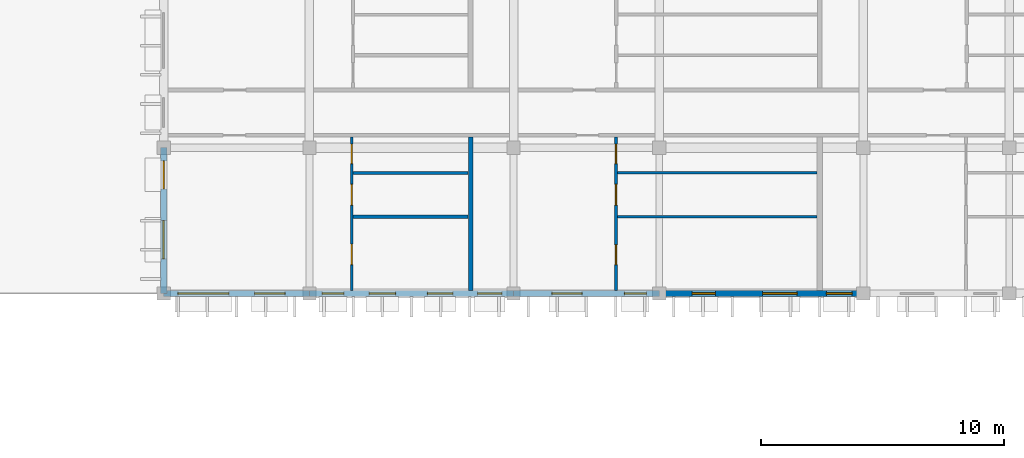
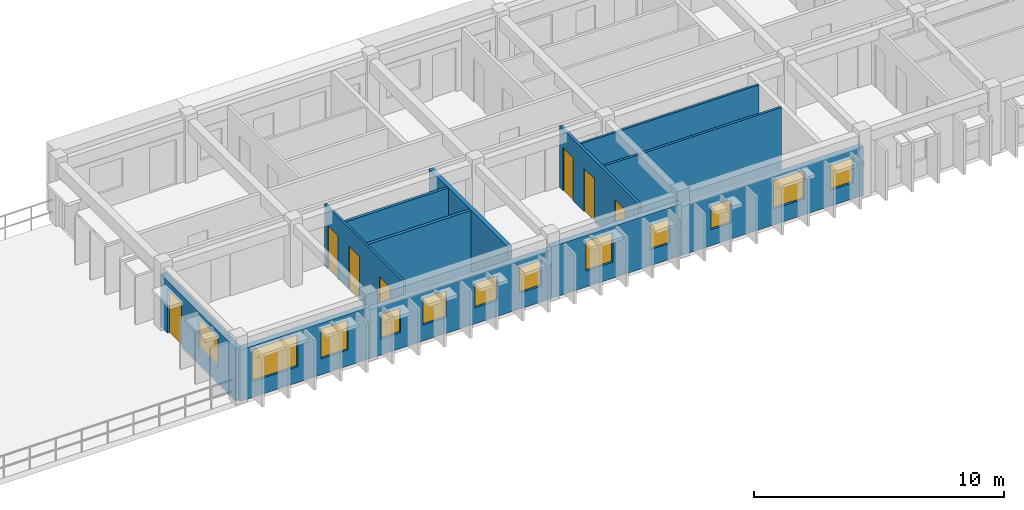
# One storey, part 21 of 45: 12 walls, 12 windows, 7 doors, 19 openings.
"""IFC4 building model written with IfcOpenShell, lengths in metres."""

import ifcopenshell
import ifcopenshell.guid

model = None  # the IFC model being written
_history = None  # IfcOwnerHistory: only IFC2X3 demands one
_inside = {}  # id of a spatial element -> (the spatial element, [elements in it])
_under = {}  # id of a project, library or spatial element -> (it, [spatial elements below it])
_declared = {}  # id of a project -> (the project, [libraries it declares])
_typed = {}  # id of a type object -> (the type object, [elements of that type])
_made_of = {}  # id of a material, layer set ... -> (it, [elements and type objects made of it])


def new_model(schema):
    """Start an empty IFC model of exactly this schema.

    Asked for "IFC4X3", IfcOpenShell would pick the latest addendum, in which some entities
    have other attributes; the version numbers below select the first issue.
    IFC2X3 requires an IfcOwnerHistory on every rooted entity: one is made here for all.
    """
    global model, _history
    if schema == "IFC4X3":
        model = ifcopenshell.file(schema_version=(4, 3, 0, 0))
    else:
        model = ifcopenshell.file(schema=schema)
    _inside.clear()
    _under.clear()
    _declared.clear()
    _typed.clear()
    _made_of.clear()
    _history = None
    if model.schema == "IFC2X3":
        org = make("IfcOrganization", Name="unknown")
        user = make(
            "IfcPersonAndOrganization",
            ThePerson=make("IfcPerson", FamilyName="unknown"),
            TheOrganization=org,
        )
        app = make(
            "IfcApplication",
            ApplicationDeveloper=org,
            Version="unknown",
            ApplicationFullName="unknown",
            ApplicationIdentifier="unknown",
        )
        _history = make(
            "IfcOwnerHistory",
            OwningUser=user,
            OwningApplication=app,
            ChangeAction="ADDED",
            CreationDate=0,
        )
    return model


def make(cls, **values):
    """One entity of the class cls with the attributes given. An attribute that is None is left unset."""
    return model.create_entity(
        cls, **{name: value for name, value in values.items() if value is not None}
    )


def rooted(cls, **values):
    """An entity with a GlobalId (a new one), such as an element, a storey or a relation."""
    return make(cls, GlobalId=ifcopenshell.guid.new(), OwnerHistory=_history, **values)


def si_unit(unit_type, name, prefix=None):
    """IfcSIUnit, for example si_unit("LENGTHUNIT", "METRE", prefix="MILLI")."""
    return make("IfcSIUnit", UnitType=unit_type, Prefix=prefix, Name=name)


def assignment(units):
    """IfcUnitAssignment: the units of a project."""
    return None if units is None else make("IfcUnitAssignment", Units=units)


def point(xyz):
    """IfcCartesianPoint."""
    return None if xyz is None else make("IfcCartesianPoint", Coordinates=xyz)


def direction(xyz):
    """IfcDirection."""
    return None if xyz is None else make("IfcDirection", DirectionRatios=xyz)


def frame(location, z_axis=None, x_axis=None):
    """IfcAxis2Placement3D, a coordinate frame: its origin and axes. An axis left out is left unset."""
    return make(
        "IfcAxis2Placement3D",
        Location=point(location),
        Axis=direction(z_axis),
        RefDirection=direction(x_axis),
    )


def frame_2d(location, x_axis=None):
    """IfcAxis2Placement2D, a coordinate frame in the plane: its origin and x axis."""
    return make(
        "IfcAxis2Placement2D", Location=point(location), RefDirection=direction(x_axis)
    )


def origin():
    """The frame at (0, 0, 0) with its axes left unset."""
    return frame((0.0, 0.0, 0.0))


def place(relative_to, where):
    """IfcLocalPlacement: puts the frame where relative to a parent placement (None: the world)."""
    return make(
        "IfcLocalPlacement", PlacementRelTo=relative_to, RelativePlacement=where
    )


def context(
    kind, dimensions, precision=None, world=None, true_north=None, identifier=None
):
    """IfcGeometricRepresentationContext, for example the 3D "Model" context."""
    return make(
        "IfcGeometricRepresentationContext",
        ContextIdentifier=identifier,
        ContextType=kind,
        CoordinateSpaceDimension=dimensions,
        Precision=precision,
        WorldCoordinateSystem=world,
        TrueNorth=true_north,
    )


def subcontext(parent, identifier, kind, view, scale=None):
    """IfcGeometricRepresentationSubContext, for example "Body" below "Model"."""
    return make(
        "IfcGeometricRepresentationSubContext",
        ContextIdentifier=identifier,
        ContextType=kind,
        ParentContext=parent,
        TargetScale=scale,
        TargetView=view,
    )


def project(units=None, contexts=None):
    """IfcProject with its units and contexts."""
    return rooted(
        "IfcProject",
        Name="project",
        RepresentationContexts=contexts,
        UnitsInContext=assignment(units),
    )


def spatial(cls, under=None, at=None, **own):
    """A site, building, storey or space (cls), placed at a placement, below another one or the project."""
    s = rooted(cls, ObjectPlacement=at, **own)
    if under is not None:
        _under.setdefault(under.id(), (under, []))[1].append(s)
    return s


def profile(cls, at=None, kind="AREA", **sizes):
    """A parametric profile (cls). Its sizes go by their IFC names, for example OverallWidth=200.0."""
    return make(cls, ProfileType=kind, Position=at, **sizes)


def rectangle(**sizes):
    """IfcRectangleProfileDef."""
    return profile("IfcRectangleProfileDef", **sizes)


def extrude(swept, where, along, depth):
    """IfcExtrudedAreaSolid: the profile swept, set in the frame where, extruded along a direction by depth."""
    return make(
        "IfcExtrudedAreaSolid",
        SweptArea=swept,
        Position=where,
        ExtrudedDirection=direction(along),
        Depth=depth,
    )


def shape(context_of_items, identifier, shape_type, items):
    """IfcShapeRepresentation: the items that make up one representation, for example the "Body"."""
    return make(
        "IfcShapeRepresentation",
        ContextOfItems=context_of_items,
        RepresentationIdentifier=identifier,
        RepresentationType=shape_type,
        Items=items,
    )


def material(Name=None, Category=None):
    """IfcMaterial."""
    return make("IfcMaterial", Name=Name, Category=Category)


def layer(
    of_material, thickness, ventilated=None, Name=None, Category=None, Priority=None
):
    """IfcMaterialLayer: one layer of a wall or slab, of a material (None: an air gap)."""
    return make(
        "IfcMaterialLayer",
        Material=of_material,
        LayerThickness=thickness,
        IsVentilated=ventilated,
        Name=Name,
        Category=Category,
        Priority=Priority,
    )


def layer_set(layers, Name=None):
    """IfcMaterialLayerSet."""
    return make("IfcMaterialLayerSet", MaterialLayers=layers, LayerSetName=Name)


def made_of(thing, what):
    """Note that an element or type object is made of a material, layer set ...; save() writes the relation."""
    if what is not None:
        _made_of.setdefault(what.id(), (what, []))[1].append(thing)
    return thing


def type_object(cls, material=None, **own):
    """A type object (cls), such as IfcWallType, which elements share."""
    return made_of(rooted(cls, **own), material)


def element(
    cls,
    number,
    at=None,
    inside=None,
    cuts=None,
    type_object=None,
    material=None,
    context=None,
    identifier="Body",
    shape_type=None,
    held_by="IfcProductDefinitionShape",
    body=None,
    shapes=None,
    **own,
):
    """One element of the class cls, such as IfcWall. Its Tag is "e" and its number.

    at: its placement. inside: the storey or other place that contains it. cuts: it is an
    opening in that element (IfcRelVoidsElement). A single representation is given by context,
    identifier, shape_type and body (its items); several are given by shapes. held_by: the class
    of the entity that holds the representations. save() writes the other relations.
    """
    e = rooted(cls, Tag="e%d" % number, ObjectPlacement=at, **own)
    if body is not None:
        shapes = [shape(context, identifier, shape_type, body)]
    if shapes is not None:
        e.Representation = make(held_by, Representations=shapes)
    if inside is not None:
        _inside.setdefault(inside.id(), (inside, []))[1].append(e)
    if cuts is not None:
        rooted(
            "IfcRelVoidsElement", RelatingBuildingElement=cuts, RelatedOpeningElement=e
        )
    if type_object is not None:
        _typed.setdefault(type_object.id(), (type_object, []))[1].append(e)
    return made_of(e, material)


def fill(opening, filler):
    """IfcRelFillsElement: the door or window that sits in an opening."""
    return rooted(
        "IfcRelFillsElement",
        RelatingOpeningElement=opening,
        RelatedBuildingElement=filler,
    )


def aggregate(whole, parts):
    """IfcRelAggregates: a whole, such as a stair, and the parts it consists of."""
    return rooted("IfcRelAggregates", RelatingObject=whole, RelatedObjects=parts)


def save(model, path):
    """Write the relations noted so far, then the file.

    IfcRelAggregates (storeys below a building ...), IfcRelContainedInSpatialStructure (elements
    in a storey), IfcRelDefinesByType, IfcRelAssociatesMaterial and IfcRelDeclares: one each for
    every whole, place, type object, material and project.
    """
    for whole, parts in _under.values():
        aggregate(whole, parts)
    for where, things in _inside.values():
        rooted(
            "IfcRelContainedInSpatialStructure",
            RelatedElements=things,
            RelatingStructure=where,
        )
    for kind, things in _typed.values():
        rooted("IfcRelDefinesByType", RelatedObjects=things, RelatingType=kind)
    for what, things in _made_of.values():
        rooted("IfcRelAssociatesMaterial", RelatedObjects=things, RelatingMaterial=what)
    for by, libraries in _declared.values():
        rooted("IfcRelDeclares", RelatingContext=by, RelatedDefinitions=libraries)
    model.write(path)


model = new_model("IFC4")

# Units and contexts
model_context = context("Model", 3, precision=1e-05, world=origin(), true_north=direction((0.0, 1.0)))
body_context = subcontext(model_context, "Body", "Model", "MODEL_VIEW")
ifc_project = project(units=[si_unit("LENGTHUNIT", "METRE"), si_unit("AREAUNIT", "SQUARE_METRE"), si_unit("VOLUMEUNIT", "CUBIC_METRE"), si_unit("PLANEANGLEUNIT", "RADIAN"), si_unit("MASSUNIT", "GRAM", prefix="KILO"), si_unit("THERMODYNAMICTEMPERATUREUNIT", "KELVIN")], contexts=[model_context])

# Site, building, storey
site_placement = place(None, origin())
site = spatial("IfcSite", under=ifc_project, at=site_placement, CompositionType="ELEMENT")
building_placement = place(site_placement, origin())
building = spatial("IfcBuilding", under=site, at=building_placement, Name="Thalorik Housing Commons", CompositionType="ELEMENT")
storey_placement = place(building_placement, frame((0.0, 0.0, 34.5)))
storey = spatial("IfcBuildingStorey", under=building, at=storey_placement, Name="L10", CompositionType="ELEMENT", Elevation=34.5)

# Wall, openings, door, window
ifc_material_1 = material(Name="White precast concrete C40/50", Category="concrete")
ifc_layer_1 = layer(ifc_material_1, 0.2548828125, Name="White precast concrete C40/50", Category="concrete")
ifc_layer_set_1 = layer_set([ifc_layer_1], Name="White precast concrete C40/50")
wall_type_1 = type_object("IfcWallType", Name="ARC-WAL-EXT-255", PredefinedType="STANDARD", material=ifc_layer_set_1)
wall_1_placement = place(storey_placement, frame((109.199951171875, 115.199951171875, 0.0), z_axis=(0.0, 0.0, 1.0), x_axis=(0.0, -1.0, 0.0)))
wall_1 = element("IfcWall", 1, at=wall_1_placement, inside=storey, type_object=wall_type_1, Name="L10 Exterior Wall WAL-EXT-L10-B-0754", PredefinedType="STANDARD", context=body_context, shape_type="SweptSolid", body=[
    extrude(rectangle(XDim=6.0, YDim=0.2548828125, at=frame_2d((3.0, 0.0))), origin(), (0.0, 0.0, 1.0), 2.574951171875),
])
opening_1_placement = place(wall_1_placement, frame((0.5400390625, 0.0, 0.0)))
opening_1 = element("IfcOpeningElement", 2, at=opening_1_placement, cuts=wall_1, Name="Opening ED-0257", PredefinedType="OPENING", context=body_context, shape_type="SweptSolid", body=[
    extrude(rectangle(XDim=1.14990234375, YDim=2.14990234375, at=frame_2d((0.574951171875, 1.074951171875))), frame((0.0, 0.137451171875, 0.0), z_axis=(0.0, -1.0, 0.0), x_axis=(1.0, 0.0, 0.0)), (0.0, 0.0, 1.0), 0.27490234375),
])
opening_2_placement = place(wall_1_placement, frame((2.9951171875, 0.0, 0.780029296875)))
opening_2 = element("IfcOpeningElement", 3, at=opening_2_placement, cuts=wall_1, Name="Opening W-53", PredefinedType="OPENING", context=body_context, shape_type="SweptSolid", body=[
    extrude(rectangle(XDim=1.580078125, YDim=1.47998046875, at=frame_2d((0.7900390625, 0.739990234375))), frame((0.0, 0.137451171875, 0.0), z_axis=(0.0, -1.0, 0.0), x_axis=(1.0, 0.0, 0.0)), (0.0, 0.0, 1.0), 0.27490234375),
])
ifc_material_2 = material(Name="Anodised aluminium and laminated safety glass", Category="aluminium")
door_type_1 = type_object("IfcDoorType", Name="ARC-DR-TERR-1150", OperationType="NOTDEFINED", PredefinedType="DOOR", material=ifc_material_2)
door_1_placement = place(opening_1_placement, frame((1.14990234375, 0.0, 0.0), z_axis=(0.0, 0.0, 1.0), x_axis=(-1.0, 0.0, 0.0)))
door_1 = element("IfcDoor", 4, at=door_1_placement, inside=storey, type_object=door_type_1, Name="L10 Block B L10 West Sky-Garden Terrace Access Door", OperationType="SINGLE_SWING_RIGHT", OverallHeight=2.14990234375, OverallWidth=1.14990234375, PredefinedType="DOOR", context=body_context, shape_type="SweptSolid", body=[
    extrude(rectangle(XDim=1.14990234375, YDim=2.14990234375, at=frame_2d((0.574951171875, 1.074951171875))), frame((0.0, 0.02490234375, 0.0), z_axis=(0.0, -1.0, 0.0), x_axis=(1.0, 0.0, 0.0)), (0.0, 0.0, 1.0), 0.050048828125),
])
fill(opening_1, door_1)
ifc_material_3 = material(Name="Anodised aluminium and solar-control low-E glass", Category="aluminium")
window_type_1 = type_object("IfcWindowType", Name="ARC-WIN-53", PartitioningType="SINGLE_PANEL", PredefinedType="WINDOW", material=ifc_material_3)
window_1_placement = place(opening_2_placement, origin())
window_1 = element("IfcWindow", 5, at=window_1_placement, inside=storey, type_object=window_type_1, Name="L10 Facade Window 1384", OverallHeight=1.47998046875, OverallWidth=1.580078125, PartitioningType="SINGLE_PANEL", PredefinedType="WINDOW", context=body_context, shape_type="SweptSolid", body=[
    extrude(rectangle(XDim=1.580078125, YDim=1.47998046875, at=frame_2d((0.7900390625, 0.739990234375))), frame((0.0, 0.030029296875, 0.0), z_axis=(0.0, -1.0, 0.0), x_axis=(1.0, 0.0, 0.0)), (0.0, 0.0, 1.0), 0.06005859375),
])
fill(opening_2, window_1)

# Wall, openings, windows
wall_2_placement = place(storey_placement, frame((109.199951171875, 109.199951171875, 0.0), z_axis=(0.0, 0.0, 1.0), x_axis=(1.0, 0.0, 0.0)))
wall_2 = element("IfcWall", 6, at=wall_2_placement, inside=storey, type_object=wall_type_1, Name="L10 Exterior Wall WAL-EXT-L10-B-0755", PredefinedType="STANDARD", context=body_context, shape_type="SweptSolid", body=[
    extrude(rectangle(XDim=6.0, YDim=0.2548828125, at=frame_2d((3.0, 0.0))), origin(), (0.0, 0.0, 1.0), 2.52490234375),
])
opening_3_placement = place(wall_2_placement, frame((0.580078125, 0.0, 0.780029296875)))
opening_3 = element("IfcOpeningElement", 7, at=opening_3_placement, cuts=wall_2, Name="Opening W-26", PredefinedType="OPENING", context=body_context, shape_type="SweptSolid", body=[
    extrude(rectangle(XDim=2.10009765625, YDim=1.550048828125, at=frame_2d((1.050048828125, 0.77490234375))), frame((0.0, 0.137451171875, 0.0), z_axis=(0.0, -1.0, 0.0), x_axis=(1.0, 0.0, 0.0)), (0.0, 0.0, 1.0), 0.27490234375),
])
opening_4_placement = place(wall_2_placement, frame((3.7451171875, 0.0, 0.780029296875)))
opening_4 = element("IfcOpeningElement", 8, at=opening_4_placement, cuts=wall_2, Name="Opening W-47", PredefinedType="OPENING", context=body_context, shape_type="SweptSolid", body=[
    extrude(rectangle(XDim=1.25, YDim=1.449951171875, at=frame_2d((0.625, 0.72509765625))), frame((0.0, 0.137451171875, 0.0), z_axis=(0.0, -1.0, 0.0), x_axis=(1.0, 0.0, 0.0)), (0.0, 0.0, 1.0), 0.27490234375),
])
window_type_2 = type_object("IfcWindowType", Name="ARC-WIN-26", PartitioningType="DOUBLE_PANEL_VERTICAL", PredefinedType="WINDOW", material=ifc_material_3)
window_2_placement = place(opening_3_placement, origin())
window_2 = element("IfcWindow", 9, at=window_2_placement, inside=storey, type_object=window_type_2, Name="L10 Facade Window 1385", OverallHeight=1.550048828125, OverallWidth=2.10009765625, PartitioningType="DOUBLE_PANEL_VERTICAL", PredefinedType="WINDOW", context=body_context, shape_type="SweptSolid", body=[
    extrude(rectangle(XDim=2.10009765625, YDim=1.550048828125, at=frame_2d((1.050048828125, 0.77490234375))), frame((0.0, 0.030029296875, 0.0), z_axis=(0.0, -1.0, 0.0), x_axis=(1.0, 0.0, 0.0)), (0.0, 0.0, 1.0), 0.06005859375),
])
fill(opening_3, window_2)
window_type_3 = type_object("IfcWindowType", Name="ARC-WIN-47", PartitioningType="SINGLE_PANEL", PredefinedType="WINDOW", material=ifc_material_3)
window_3_placement = place(opening_4_placement, origin())
window_3 = element("IfcWindow", 10, at=window_3_placement, inside=storey, type_object=window_type_3, Name="L10 Facade Window 1386", OverallHeight=1.449951171875, OverallWidth=1.25, PartitioningType="SINGLE_PANEL", PredefinedType="WINDOW", context=body_context, shape_type="SweptSolid", body=[
    extrude(rectangle(XDim=1.25, YDim=1.449951171875, at=frame_2d((0.625, 0.72509765625))), frame((0.0, 0.030029296875, 0.0), z_axis=(0.0, -1.0, 0.0), x_axis=(1.0, 0.0, 0.0)), (0.0, 0.0, 1.0), 0.06005859375),
])
fill(opening_4, window_3)

wall_3_placement = place(storey_placement, frame((115.199951171875, 109.199951171875, 0.0), z_axis=(0.0, 0.0, 1.0), x_axis=(1.0, 0.0, 0.0)))
wall_3 = element("IfcWall", 11, at=wall_3_placement, inside=storey, type_object=wall_type_1, Name="L10 Exterior Wall WAL-EXT-L10-B-0756", PredefinedType="STANDARD", context=body_context, shape_type="SweptSolid", body=[
    extrude(rectangle(XDim=8.400146484375, YDim=0.2548828125, at=frame_2d((4.2001953125, 0.0))), origin(), (0.0, 0.0, 1.0), 2.375),
])
opening_5_placement = place(wall_3_placement, frame((0.517578125, 0.0, 0.780029296875)))
opening_5 = element("IfcOpeningElement", 12, at=opening_5_placement, cuts=wall_3, Name="Opening W-01", PredefinedType="OPENING", context=body_context, shape_type="SweptSolid", body=[
    extrude(rectangle(XDim=0.89990234375, YDim=1.199951171875, at=frame_2d((0.449951171875, 0.60009765625))), frame((0.0, 0.137451171875, 0.0), z_axis=(0.0, -1.0, 0.0), x_axis=(1.0, 0.0, 0.0)), (0.0, 0.0, 1.0), 0.27490234375),
])
opening_6_placement = place(wall_3_placement, frame((2.451171875, 0.0, 0.780029296875)))
opening_6 = element("IfcOpeningElement", 13, at=opening_6_placement, cuts=wall_3, Name="Opening W-03", PredefinedType="OPENING", context=body_context, shape_type="SweptSolid", body=[
    extrude(rectangle(XDim=1.10009765625, YDim=1.300048828125, at=frame_2d((0.550048828125, 0.64990234375))), frame((0.0, 0.137451171875, 0.0), z_axis=(0.0, -1.0, 0.0), x_axis=(1.0, 0.0, 0.0)), (0.0, 0.0, 1.0), 0.27490234375),
])
opening_7_placement = place(wall_3_placement, frame((4.8486328125, 0.0, 0.780029296875)))
opening_7 = element("IfcOpeningElement", 14, at=opening_7_placement, cuts=wall_3, Name="Opening W-44", PredefinedType="OPENING", context=body_context, shape_type="SweptSolid", body=[
    extrude(rectangle(XDim=1.050048828125, YDim=1.199951171875, at=frame_2d((0.52490234375, 0.60009765625))), frame((0.0, 0.137451171875, 0.0), z_axis=(0.0, -1.0, 0.0), x_axis=(1.0, 0.0, 0.0)), (0.0, 0.0, 1.0), 0.27490234375),
])
opening_8_placement = place(wall_3_placement, frame((6.919921875, 0.0, 0.780029296875)))
opening_8 = element("IfcOpeningElement", 15, at=opening_8_placement, cuts=wall_3, Name="Opening W-02", PredefinedType="OPENING", context=body_context, shape_type="SweptSolid", body=[
    extrude(rectangle(XDim=1.0, YDim=1.25, at=frame_2d((0.5, 0.625))), frame((0.0, 0.137451171875, 0.0), z_axis=(0.0, -1.0, 0.0), x_axis=(1.0, 0.0, 0.0)), (0.0, 0.0, 1.0), 0.27490234375),
])
window_type_4 = type_object("IfcWindowType", Name="ARC-WIN-01", PartitioningType="SINGLE_PANEL", PredefinedType="WINDOW", material=ifc_material_3)
window_4_placement = place(opening_5_placement, origin())
window_4 = element("IfcWindow", 16, at=window_4_placement, inside=storey, type_object=window_type_4, Name="L10 Facade Window 1387", OverallHeight=1.199951171875, OverallWidth=0.89990234375, PartitioningType="SINGLE_PANEL", PredefinedType="WINDOW", context=body_context, shape_type="SweptSolid", body=[
    extrude(rectangle(XDim=0.89990234375, YDim=1.199951171875, at=frame_2d((0.449951171875, 0.60009765625))), frame((0.0, 0.030029296875, 0.0), z_axis=(0.0, -1.0, 0.0), x_axis=(1.0, 0.0, 0.0)), (0.0, 0.0, 1.0), 0.06005859375),
])
fill(opening_5, window_4)
window_type_5 = type_object("IfcWindowType", Name="ARC-WIN-02", PartitioningType="SINGLE_PANEL", PredefinedType="WINDOW", material=ifc_material_3)
window_5_placement = place(opening_8_placement, origin())
window_5 = element("IfcWindow", 17, at=window_5_placement, inside=storey, type_object=window_type_5, Name="L10 Facade Window 1390", OverallHeight=1.25, OverallWidth=1.0, PartitioningType="SINGLE_PANEL", PredefinedType="WINDOW", context=body_context, shape_type="SweptSolid", body=[
    extrude(rectangle(XDim=1.0, YDim=1.25, at=frame_2d((0.5, 0.625))), frame((0.0, 0.030029296875, 0.0), z_axis=(0.0, -1.0, 0.0), x_axis=(1.0, 0.0, 0.0)), (0.0, 0.0, 1.0), 0.06005859375),
])
fill(opening_8, window_5)
window_type_6 = type_object("IfcWindowType", Name="ARC-WIN-03", PartitioningType="SINGLE_PANEL", PredefinedType="WINDOW", material=ifc_material_3)
window_6_placement = place(opening_6_placement, origin())
window_6 = element("IfcWindow", 18, at=window_6_placement, inside=storey, type_object=window_type_6, Name="L10 Facade Window 1388", OverallHeight=1.300048828125, OverallWidth=1.10009765625, PartitioningType="SINGLE_PANEL", PredefinedType="WINDOW", context=body_context, shape_type="SweptSolid", body=[
    extrude(rectangle(XDim=1.10009765625, YDim=1.300048828125, at=frame_2d((0.550048828125, 0.64990234375))), frame((0.0, 0.030029296875, 0.0), z_axis=(0.0, -1.0, 0.0), x_axis=(1.0, 0.0, 0.0)), (0.0, 0.0, 1.0), 0.06005859375),
])
fill(opening_6, window_6)
window_type_7 = type_object("IfcWindowType", Name="ARC-WIN-44", PartitioningType="SINGLE_PANEL", PredefinedType="WINDOW", material=ifc_material_3)
window_7_placement = place(opening_7_placement, origin())
window_7 = element("IfcWindow", 19, at=window_7_placement, inside=storey, type_object=window_type_7, Name="L10 Facade Window 1389", OverallHeight=1.199951171875, OverallWidth=1.050048828125, PartitioningType="SINGLE_PANEL", PredefinedType="WINDOW", context=body_context, shape_type="SweptSolid", body=[
    extrude(rectangle(XDim=1.050048828125, YDim=1.199951171875, at=frame_2d((0.52490234375, 0.60009765625))), frame((0.0, 0.030029296875, 0.0), z_axis=(0.0, -1.0, 0.0), x_axis=(1.0, 0.0, 0.0)), (0.0, 0.0, 1.0), 0.06005859375),
])
fill(opening_7, window_7)

wall_4_placement = place(storey_placement, frame((123.60009765625, 109.199951171875, 0.0), z_axis=(0.0, 0.0, 1.0), x_axis=(1.0, 0.0, 0.0)))
wall_4 = element("IfcWall", 20, at=wall_4_placement, inside=storey, type_object=wall_type_1, Name="L10 Exterior Wall WAL-EXT-L10-B-0757", PredefinedType="STANDARD", context=body_context, shape_type="SweptSolid", body=[
    extrude(rectangle(XDim=6.0, YDim=0.2548828125, at=frame_2d((3.0, 0.0))), origin(), (0.0, 0.0, 1.0), 2.52490234375),
])
opening_9_placement = place(wall_4_placement, frame((1.577392578125, 0.0, 0.780029296875)))
opening_9 = element("IfcOpeningElement", 21, at=opening_9_placement, cuts=wall_4, Name="Opening W-47", PredefinedType="OPENING", context=body_context, shape_type="SweptSolid", body=[
    extrude(rectangle(XDim=1.25, YDim=1.449951171875, at=frame_2d((0.625, 0.72509765625))), frame((0.0, 0.137451171875, 0.0), z_axis=(0.0, -1.0, 0.0), x_axis=(1.0, 0.0, 0.0)), (0.0, 0.0, 1.0), 0.27490234375),
])
opening_10_placement = place(wall_4_placement, frame((4.5625, 0.0, 0.780029296875)))
opening_10 = element("IfcOpeningElement", 22, at=opening_10_placement, cuts=wall_4, Name="Opening W-01", PredefinedType="OPENING", context=body_context, shape_type="SweptSolid", body=[
    extrude(rectangle(XDim=0.89990234375, YDim=1.199951171875, at=frame_2d((0.449951171875, 0.60009765625))), frame((0.0, 0.137451171875, 0.0), z_axis=(0.0, -1.0, 0.0), x_axis=(1.0, 0.0, 0.0)), (0.0, 0.0, 1.0), 0.27490234375),
])
window_8_placement = place(opening_10_placement, origin())
window_8 = element("IfcWindow", 23, at=window_8_placement, inside=storey, type_object=window_type_4, Name="L10 Facade Window 1392", OverallHeight=1.199951171875, OverallWidth=0.89990234375, PartitioningType="SINGLE_PANEL", PredefinedType="WINDOW", context=body_context, shape_type="SweptSolid", body=[
    extrude(rectangle(XDim=0.89990234375, YDim=1.199951171875, at=frame_2d((0.449951171875, 0.60009765625))), frame((0.0, 0.030029296875, 0.0), z_axis=(0.0, -1.0, 0.0), x_axis=(1.0, 0.0, 0.0)), (0.0, 0.0, 1.0), 0.06005859375),
])
fill(opening_10, window_8)
window_9_placement = place(opening_9_placement, origin())
window_9 = element("IfcWindow", 24, at=window_9_placement, inside=storey, type_object=window_type_3, Name="L10 Facade Window 1391", OverallHeight=1.449951171875, OverallWidth=1.25, PartitioningType="SINGLE_PANEL", PredefinedType="WINDOW", context=body_context, shape_type="SweptSolid", body=[
    extrude(rectangle(XDim=1.25, YDim=1.449951171875, at=frame_2d((0.625, 0.72509765625))), frame((0.0, 0.030029296875, 0.0), z_axis=(0.0, -1.0, 0.0), x_axis=(1.0, 0.0, 0.0)), (0.0, 0.0, 1.0), 0.06005859375),
])
fill(opening_9, window_9)

wall_5_placement = place(storey_placement, frame((129.60009765625, 109.199951171875, 0.0), z_axis=(0.0, 0.0, 1.0), x_axis=(1.0, 0.0, 0.0)))
wall_5 = element("IfcWall", 25, at=wall_5_placement, inside=storey, type_object=wall_type_1, Name="L10 Exterior Wall WAL-EXT-L10-B-0758", PredefinedType="STANDARD", context=body_context, shape_type="SweptSolid", body=[
    extrude(rectangle(XDim=8.39990234375, YDim=0.2548828125, at=frame_2d((4.199951171875, 0.0))), origin(), (0.0, 0.0, 1.0), 2.375),
])
opening_11_placement = place(wall_5_placement, frame((1.3525390625, 0.0, 0.780029296875)))
opening_11 = element("IfcOpeningElement", 26, at=opening_11_placement, cuts=wall_5, Name="Opening W-43", PredefinedType="OPENING", context=body_context, shape_type="SweptSolid", body=[
    extrude(rectangle(XDim=0.949951171875, YDim=1.14990234375, at=frame_2d((0.47509765625, 0.574951171875))), frame((0.0, 0.137451171875, 0.0), z_axis=(0.0, -1.0, 0.0), x_axis=(1.0, 0.0, 0.0)), (0.0, 0.0, 1.0), 0.27490234375),
])
opening_12_placement = place(wall_5_placement, frame((4.25244140625, 0.0, 0.780029296875)))
opening_12 = element("IfcOpeningElement", 27, at=opening_12_placement, cuts=wall_5, Name="Opening W-50", PredefinedType="OPENING", context=body_context, shape_type="SweptSolid", body=[
    extrude(rectangle(XDim=1.419921875, YDim=1.3798828125, at=frame_2d((0.7099609375, 0.68994140625))), frame((0.0, 0.137451171875, 0.0), z_axis=(0.0, -1.0, 0.0), x_axis=(1.0, 0.0, 0.0)), (0.0, 0.0, 1.0), 0.27490234375),
])
opening_13_placement = place(wall_5_placement, frame((6.8798828125, 0.0, 0.780029296875)))
opening_13 = element("IfcOpeningElement", 28, at=opening_13_placement, cuts=wall_5, Name="Opening W-44", PredefinedType="OPENING", context=body_context, shape_type="SweptSolid", body=[
    extrude(rectangle(XDim=1.050048828125, YDim=1.199951171875, at=frame_2d((0.52490234375, 0.60009765625))), frame((0.0, 0.137451171875, 0.0), z_axis=(0.0, -1.0, 0.0), x_axis=(1.0, 0.0, 0.0)), (0.0, 0.0, 1.0), 0.27490234375),
])
window_type_8 = type_object("IfcWindowType", Name="ARC-WIN-43", PartitioningType="SINGLE_PANEL", PredefinedType="WINDOW", material=ifc_material_3)
window_10_placement = place(opening_11_placement, origin())
window_10 = element("IfcWindow", 29, at=window_10_placement, inside=storey, type_object=window_type_8, Name="L10 Facade Window 1393", OverallHeight=1.14990234375, OverallWidth=0.949951171875, PartitioningType="SINGLE_PANEL", PredefinedType="WINDOW", context=body_context, shape_type="SweptSolid", body=[
    extrude(rectangle(XDim=0.949951171875, YDim=1.14990234375, at=frame_2d((0.47509765625, 0.574951171875))), frame((0.0, 0.030029296875, 0.0), z_axis=(0.0, -1.0, 0.0), x_axis=(1.0, 0.0, 0.0)), (0.0, 0.0, 1.0), 0.06005859375),
])
fill(opening_11, window_10)
window_11_placement = place(opening_13_placement, origin())
window_11 = element("IfcWindow", 30, at=window_11_placement, inside=storey, type_object=window_type_7, Name="L10 Facade Window 1395", OverallHeight=1.199951171875, OverallWidth=1.050048828125, PartitioningType="SINGLE_PANEL", PredefinedType="WINDOW", context=body_context, shape_type="SweptSolid", body=[
    extrude(rectangle(XDim=1.050048828125, YDim=1.199951171875, at=frame_2d((0.52490234375, 0.60009765625))), frame((0.0, 0.030029296875, 0.0), z_axis=(0.0, -1.0, 0.0), x_axis=(1.0, 0.0, 0.0)), (0.0, 0.0, 1.0), 0.06005859375),
])
fill(opening_13, window_11)
window_type_9 = type_object("IfcWindowType", Name="ARC-WIN-50", PartitioningType="SINGLE_PANEL", PredefinedType="WINDOW", material=ifc_material_3)
window_12_placement = place(opening_12_placement, origin())
window_12 = element("IfcWindow", 31, at=window_12_placement, inside=storey, type_object=window_type_9, Name="L10 Facade Window 1394", OverallHeight=1.3798828125, OverallWidth=1.419921875, PartitioningType="SINGLE_PANEL", PredefinedType="WINDOW", context=body_context, shape_type="SweptSolid", body=[
    extrude(rectangle(XDim=1.419921875, YDim=1.3798828125, at=frame_2d((0.7099609375, 0.68994140625))), frame((0.0, 0.030029296875, 0.0), z_axis=(0.0, -1.0, 0.0), x_axis=(1.0, 0.0, 0.0)), (0.0, 0.0, 1.0), 0.06005859375),
])
fill(opening_12, window_12)

# Wall, openings, doors
ifc_material_4 = material(Name="Gypsum light stud partition", Category="masonry")
ifc_layer_2 = layer(ifc_material_4, 0.10009765625, Name="Gypsum light stud partition", Category="masonry")
ifc_layer_set_2 = layer_set([ifc_layer_2], Name="Gypsum light stud partition")
wall_type_2 = type_object("IfcWallType", Name="ARC-WAL-PART-100", PredefinedType="PARTITIONING", material=ifc_layer_set_2)
wall_6_placement = place(storey_placement, frame((116.945068359375, 109.32958984375, 0.0), z_axis=(0.0, 0.0, 1.0), x_axis=(0.0, 1.0, 0.0)))
wall_6 = element("IfcWall", 32, at=wall_6_placement, inside=storey, type_object=wall_type_2, Name="L10 Unit 1 Spine Partition", PredefinedType="PARTITIONING", context=body_context, shape_type="SweptSolid", body=[
    extrude(rectangle(XDim=6.3134765625, YDim=0.10009765625, at=frame_2d((3.15673828125, 0.0))), origin(), (0.0, 0.0, 1.0), 3.0),
])
opening_14_placement = place(wall_6_placement, frame((1.055908203125, 0.0, 0.0)))
opening_14 = element("IfcOpeningElement", 33, at=opening_14_placement, cuts=wall_6, Name="Opening ID-1430", PredefinedType="OPENING", context=body_context, shape_type="SweptSolid", body=[
    extrude(rectangle(XDim=0.85009765625, YDim=2.10009765625, at=frame_2d((0.425048828125, 1.050048828125))), frame((0.0, 0.06005859375, 0.0), z_axis=(0.0, -1.0, 0.0), x_axis=(1.0, 0.0, 0.0)), (0.0, 0.0, 1.0), 0.1201171875),
])
opening_15_placement = place(wall_6_placement, frame((3.5107421875, 0.0, 0.0)))
opening_15 = element("IfcOpeningElement", 34, at=opening_15_placement, cuts=wall_6, Name="Opening ID-1431", PredefinedType="OPENING", context=body_context, shape_type="SweptSolid", body=[
    extrude(rectangle(XDim=0.85009765625, YDim=2.10009765625, at=frame_2d((0.425048828125, 1.050048828125))), frame((0.0, 0.06005859375, 0.0), z_axis=(0.0, -1.0, 0.0), x_axis=(1.0, 0.0, 0.0)), (0.0, 0.0, 1.0), 0.1201171875),
])
opening_16_placement = place(wall_6_placement, frame((5.21533203125, 0.0, 0.0)))
opening_16 = element("IfcOpeningElement", 35, at=opening_16_placement, cuts=wall_6, Name="Opening ID-1432", PredefinedType="OPENING", context=body_context, shape_type="SweptSolid", body=[
    extrude(rectangle(XDim=0.800048828125, YDim=2.10009765625, at=frame_2d((0.39990234375, 1.050048828125))), frame((0.0, 0.06005859375, 0.0), z_axis=(0.0, -1.0, 0.0), x_axis=(1.0, 0.0, 0.0)), (0.0, 0.0, 1.0), 0.1201171875),
])
ifc_material_5 = material(Name="Moisture-resistant timber", Category="wood")
door_type_2 = type_object("IfcDoorType", Name="ARC-DR-INT-800", OperationType="NOTDEFINED", PredefinedType="DOOR", material=ifc_material_5)
door_2_placement = place(opening_16_placement, origin())
door_2 = element("IfcDoor", 36, at=door_2_placement, inside=storey, type_object=door_type_2, Name="L10 Accessible Bathroom Door", OperationType="SINGLE_SWING_LEFT", OverallHeight=2.10009765625, OverallWidth=0.800048828125, PredefinedType="DOOR", context=body_context, shape_type="SweptSolid", body=[
    extrude(rectangle(XDim=0.800048828125, YDim=2.10009765625, at=frame_2d((0.39990234375, 1.050048828125))), frame((0.0, 0.02490234375, 0.0), z_axis=(0.0, -1.0, 0.0), x_axis=(1.0, 0.0, 0.0)), (0.0, 0.0, 1.0), 0.050048828125),
])
fill(opening_16, door_2)
ifc_material_6 = material(Name="Engineered oak timber", Category="wood")
door_type_3 = type_object("IfcDoorType", Name="ARC-DR-INT-850", OperationType="NOTDEFINED", PredefinedType="DOOR", material=ifc_material_6)
door_3_placement = place(opening_14_placement, origin())
door_3 = element("IfcDoor", 37, at=door_3_placement, inside=storey, type_object=door_type_3, Name="L10 Double Bedroom Door", OperationType="SINGLE_SWING_LEFT", OverallHeight=2.10009765625, OverallWidth=0.85009765625, PredefinedType="DOOR", context=body_context, shape_type="SweptSolid", body=[
    extrude(rectangle(XDim=0.85009765625, YDim=2.10009765625, at=frame_2d((0.425048828125, 1.050048828125))), frame((0.0, 0.02490234375, 0.0), z_axis=(0.0, -1.0, 0.0), x_axis=(1.0, 0.0, 0.0)), (0.0, 0.0, 1.0), 0.050048828125),
])
fill(opening_14, door_3)
door_4_placement = place(opening_15_placement, origin())
door_4 = element("IfcDoor", 38, at=door_4_placement, inside=storey, type_object=door_type_3, Name="L10 Eat-In Kitchen Door", OperationType="SINGLE_SWING_RIGHT", OverallHeight=2.10009765625, OverallWidth=0.85009765625, PredefinedType="DOOR", context=body_context, shape_type="SweptSolid", body=[
    extrude(rectangle(XDim=0.85009765625, YDim=2.10009765625, at=frame_2d((0.425048828125, 1.050048828125))), frame((0.0, 0.02490234375, 0.0), z_axis=(0.0, -1.0, 0.0), x_axis=(1.0, 0.0, 0.0)), (0.0, 0.0, 1.0), 0.050048828125),
])
fill(opening_15, door_4)

# Walls
wall_7_placement = place(storey_placement, frame((127.87939453125, 114.169677734375, 0.0), z_axis=(0.0, 0.0, 1.0), x_axis=(1.0, 0.0, 0.0)))
element("IfcWall", 39, at=wall_7_placement, inside=storey, type_object=wall_type_2, Name="L10 Unit 2 Wet Wall", PredefinedType="PARTITIONING", context=body_context, shape_type="SweptSolid", body=[
    extrude(rectangle(XDim=8.20849609375, YDim=0.10009765625, at=frame_2d((4.104248046875, 0.0))), origin(), (0.0, 0.0, 1.0), 3.0),
])
ifc_material_7 = material(Name="Gypsum moisture-resistant partition", Category="masonry")
ifc_layer_3 = layer(ifc_material_7, 0.114990234375, Name="Gypsum moisture-resistant partition", Category="masonry")
ifc_layer_set_3 = layer_set([ifc_layer_3], Name="Gypsum moisture-resistant partition")
wall_type_3 = type_object("IfcWallType", Name="ARC-WAL-PART-115", PredefinedType="PARTITIONING", material=ifc_layer_set_3)
wall_8_placement = place(storey_placement, frame((127.87939453125, 112.36083984375, 0.0), z_axis=(0.0, 0.0, 1.0), x_axis=(1.0, 0.0, 0.0)))
element("IfcWall", 40, at=wall_8_placement, inside=storey, type_object=wall_type_3, Name="L10 Unit 2 Bedroom Partition", PredefinedType="PARTITIONING", context=body_context, shape_type="SweptSolid", body=[
    extrude(rectangle(XDim=8.20849609375, YDim=0.114990234375, at=frame_2d((4.104248046875, 0.0))), origin(), (0.0, 0.0, 1.0), 3.0),
])
ifc_material_8 = material(Name="Gypsum acoustic stud partition", Category="masonry")
ifc_layer_4 = layer(ifc_material_8, 0.125, Name="Gypsum acoustic stud partition", Category="masonry")
ifc_layer_set_4 = layer_set([ifc_layer_4], Name="Gypsum acoustic stud partition")
wall_type_4 = type_object("IfcWallType", Name="ARC-WAL-PART-125", PredefinedType="PARTITIONING", material=ifc_layer_set_4)
wall_9_placement = place(storey_placement, frame((116.9970703125, 114.169677734375, 0.0), z_axis=(0.0, 0.0, 1.0), x_axis=(1.0, 0.0, 0.0)))
element("IfcWall", 41, at=wall_9_placement, inside=storey, type_object=wall_type_4, Name="L10 Unit 1 Wet Wall", PredefinedType="PARTITIONING", context=body_context, shape_type="SweptSolid", body=[
    extrude(rectangle(XDim=4.738525390625, YDim=0.125, at=frame_2d((2.369140625, 0.0))), origin(), (0.0, 0.0, 1.0), 3.0),
])

# Wall, openings, doors
wall_10_placement = place(storey_placement, frame((127.81494140625, 109.32958984375, 0.0), z_axis=(0.0, 0.0, 1.0), x_axis=(0.0, 1.0, 0.0)))
wall_10 = element("IfcWall", 42, at=wall_10_placement, inside=storey, type_object=wall_type_4, Name="L10 Unit 2 Spine Partition", PredefinedType="PARTITIONING", context=body_context, shape_type="SweptSolid", body=[
    extrude(rectangle(XDim=6.3134765625, YDim=0.125, at=frame_2d((3.15673828125, 0.0))), origin(), (0.0, 0.0, 1.0), 3.0),
])
opening_17_placement = place(wall_10_placement, frame((1.055908203125, 0.0, 0.0)))
opening_17 = element("IfcOpeningElement", 43, at=opening_17_placement, cuts=wall_10, Name="Opening ID-1436", PredefinedType="OPENING", context=body_context, shape_type="SweptSolid", body=[
    extrude(rectangle(XDim=0.820068359375, YDim=2.080078125, at=frame_2d((0.41015625, 1.0400390625))), frame((0.0, 0.072509765625, 0.0), z_axis=(0.0, -1.0, 0.0), x_axis=(1.0, 0.0, 0.0)), (0.0, 0.0, 1.0), 0.14501953125),
])
opening_18_placement = place(wall_10_placement, frame((3.5107421875, 0.0, 0.0)))
opening_18 = element("IfcOpeningElement", 44, at=opening_18_placement, cuts=wall_10, Name="Opening ID-1437", PredefinedType="OPENING", context=body_context, shape_type="SweptSolid", body=[
    extrude(rectangle(XDim=0.85009765625, YDim=2.10009765625, at=frame_2d((0.425048828125, 1.050048828125))), frame((0.0, 0.072509765625, 0.0), z_axis=(0.0, -1.0, 0.0), x_axis=(1.0, 0.0, 0.0)), (0.0, 0.0, 1.0), 0.14501953125),
])
opening_19_placement = place(wall_10_placement, frame((5.21533203125, 0.0, 0.0)))
opening_19 = element("IfcOpeningElement", 45, at=opening_19_placement, cuts=wall_10, Name="Opening ID-1438", PredefinedType="OPENING", context=body_context, shape_type="SweptSolid", body=[
    extrude(rectangle(XDim=0.800048828125, YDim=2.10009765625, at=frame_2d((0.39990234375, 1.050048828125))), frame((0.0, 0.072509765625, 0.0), z_axis=(0.0, -1.0, 0.0), x_axis=(1.0, 0.0, 0.0)), (0.0, 0.0, 1.0), 0.14501953125),
])
door_5_placement = place(opening_19_placement, origin())
door_5 = element("IfcDoor", 46, at=door_5_placement, inside=storey, type_object=door_type_2, Name="L10 Accessible Bathroom Door", OperationType="SINGLE_SWING_LEFT", OverallHeight=2.10009765625, OverallWidth=0.800048828125, PredefinedType="DOOR", context=body_context, shape_type="SweptSolid", body=[
    extrude(rectangle(XDim=0.800048828125, YDim=2.10009765625, at=frame_2d((0.39990234375, 1.050048828125))), frame((0.0, 0.02490234375, 0.0), z_axis=(0.0, -1.0, 0.0), x_axis=(1.0, 0.0, 0.0)), (0.0, 0.0, 1.0), 0.050048828125),
])
fill(opening_19, door_5)
door_type_4 = type_object("IfcDoorType", Name="ARC-DR-INT-820", OperationType="NOTDEFINED", PredefinedType="DOOR", material=ifc_material_6)
door_6_placement = place(opening_17_placement, origin())
door_6 = element("IfcDoor", 47, at=door_6_placement, inside=storey, type_object=door_type_4, Name="L10 Master Bedroom Door", OperationType="SINGLE_SWING_LEFT", OverallHeight=2.080078125, OverallWidth=0.820068359375, PredefinedType="DOOR", context=body_context, shape_type="SweptSolid", body=[
    extrude(rectangle(XDim=0.820068359375, YDim=2.080078125, at=frame_2d((0.41015625, 1.0400390625))), frame((0.0, 0.02490234375, 0.0), z_axis=(0.0, -1.0, 0.0), x_axis=(1.0, 0.0, 0.0)), (0.0, 0.0, 1.0), 0.050048828125),
])
fill(opening_17, door_6)
door_7_placement = place(opening_18_placement, origin())
door_7 = element("IfcDoor", 48, at=door_7_placement, inside=storey, type_object=door_type_3, Name="L10 Eat-In Kitchen Door", OperationType="SINGLE_SWING_RIGHT", OverallHeight=2.10009765625, OverallWidth=0.85009765625, PredefinedType="DOOR", context=body_context, shape_type="SweptSolid", body=[
    extrude(rectangle(XDim=0.85009765625, YDim=2.10009765625, at=frame_2d((0.425048828125, 1.050048828125))), frame((0.0, 0.02490234375, 0.0), z_axis=(0.0, -1.0, 0.0), x_axis=(1.0, 0.0, 0.0)), (0.0, 0.0, 1.0), 0.050048828125),
])
fill(opening_18, door_7)

# Walls
ifc_material_9 = material(Name="Ceramic masonry partition wall", Category="masonry")
ifc_layer_5 = layer(ifc_material_9, 0.139892578125, Name="Ceramic masonry partition wall", Category="masonry")
ifc_layer_set_5 = layer_set([ifc_layer_5], Name="Ceramic masonry partition wall")
wall_type_5 = type_object("IfcWallType", Name="ARC-WAL-PART-140", PredefinedType="PARTITIONING", material=ifc_layer_set_5)
wall_11_placement = place(storey_placement, frame((116.9970703125, 112.36083984375, 0.0), z_axis=(0.0, 0.0, 1.0), x_axis=(1.0, 0.0, 0.0)))
element("IfcWall", 49, at=wall_11_placement, inside=storey, type_object=wall_type_5, Name="L10 Unit 1 Bedroom Partition", PredefinedType="PARTITIONING", context=body_context, shape_type="SweptSolid", body=[
    extrude(rectangle(XDim=4.738525390625, YDim=0.139892578125, at=frame_2d((2.369140625, 0.0))), origin(), (0.0, 0.0, 1.0), 3.0),
])
ifc_material_10 = material(Name="Masonry acoustic blockwork wall", Category="masonry")
ifc_layer_6 = layer(ifc_material_10, 0.18505859375, Name="Masonry acoustic blockwork wall", Category="masonry")
ifc_layer_set_6 = layer_set([ifc_layer_6], Name="Masonry acoustic blockwork wall")
wall_type_6 = type_object("IfcWallType", Name="ARC-WAL-PARTY-185", PredefinedType="PARTITIONING", material=ifc_layer_set_6)
wall_12_placement = place(storey_placement, frame((121.830078125, 109.32958984375, 0.0), z_axis=(0.0, 0.0, 1.0), x_axis=(0.0, 1.0, 0.0)))
element("IfcWall", 50, at=wall_12_placement, inside=storey, type_object=wall_type_6, Name="L10 Inter-Tenancy Wall 1A", PredefinedType="PARTITIONING", context=body_context, shape_type="SweptSolid", body=[
    extrude(rectangle(XDim=6.3134765625, YDim=0.18505859375, at=frame_2d((3.15673828125, 0.0))), origin(), (0.0, 0.0, 1.0), 3.0),
])

save(model, "model.ifc")
